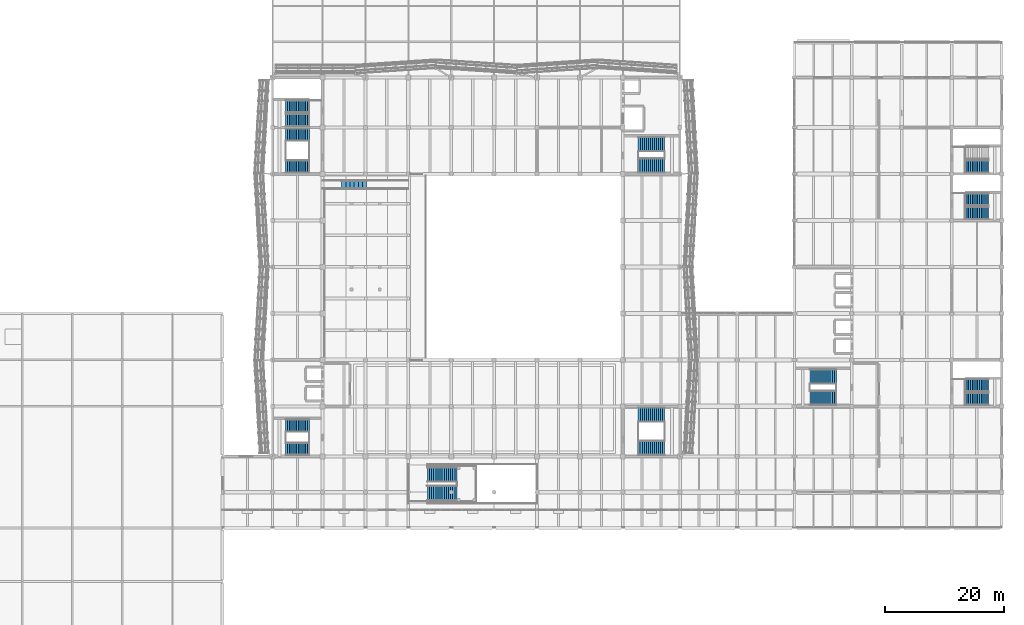
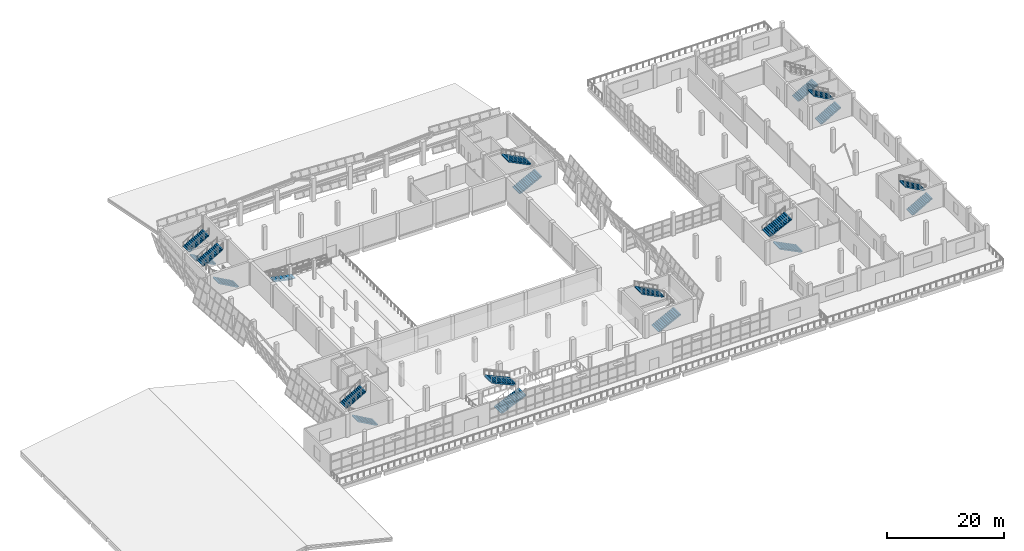
# One storey, part 70 of 79: 20 stair flights, 11 elements without a shape of their own.
"""IFC4 building model written with IfcOpenShell, lengths in metres."""

from ifc_helpers import new_model, si_unit, direction, frame, origin, place, context, subcontext, project, spatial, polyline, outline, extrude, material, type_object, element, aggregate, save


model = new_model("IFC4")

# Units and contexts
model_context = context("Model", 3, precision=1e-05, world=origin(), true_north=direction((0.0, 1.0)))
body_context = subcontext(model_context, "Body", "Model", "MODEL_VIEW")
ifc_project = project(units=[si_unit("LENGTHUNIT", "METRE"), si_unit("AREAUNIT", "SQUARE_METRE"), si_unit("VOLUMEUNIT", "CUBIC_METRE"), si_unit("PLANEANGLEUNIT", "RADIAN"), si_unit("MASSUNIT", "GRAM", prefix="KILO")], contexts=[model_context])

# Site, building, storey
site_placement = place(None, origin())
site = spatial("IfcSite", under=ifc_project, at=site_placement, CompositionType="ELEMENT")
building_placement = place(site_placement, origin())
building = spatial("IfcBuilding", under=site, at=building_placement, Name="Pellamere Symphony Hall", CompositionType="ELEMENT")
storey_placement = place(building_placement, frame((0.0, 0.0, 10.199951171875)))
storey = spatial("IfcBuildingStorey", under=building, at=storey_placement, Name="L02", CompositionType="ELEMENT", Elevation=10.199951171875)

# Stair, stair flights
ifc_material_1 = material(Name="Concrete 40 MPa", Category="concrete")
stair_type_1 = type_object("IfcStairType", Name="Stair ST-A W2400", PredefinedType="HALF_TURN_STAIR", material=ifc_material_1)
stair_1_placement = place(storey_placement, origin())
stair_1 = element("IfcStair", 1, at=stair_1_placement, inside=storey, type_object=stair_type_1, Name="Exit Stair ST02-L02 (L02 to L03)", PredefinedType="HALF_TURN_STAIR")
stair_flight_type_1 = type_object("IfcStairFlightType", Name="Stair Flight SF-A W2400", PredefinedType="STRAIGHT", material=ifc_material_1)
stair_flight_1_placement = place(storey_placement, frame((145.02490234375, 39.760009765625, 0.0), z_axis=(0.0, 0.0, 1.0), x_axis=(-1.0, 0.0, 0.0)))
stair_flight_1 = element("IfcStairFlight", 2, at=stair_flight_1_placement, type_object=stair_flight_type_1, Name="Stair ST02-L02 Lower Flight (L02)", NumberOfRisers=14, NumberOfTreads=13, PredefinedType="STRAIGHT", RiserHeight=0.17143, TreadLength=0.34231, context=body_context, shape_type="SweptSolid", body=[
    extrude(outline(polyline([(0.0, 0.0), (0.0, 0.17138671875), (0.34228515625, 0.17138671875), (0.34228515625, 0.3427734375), (0.6845703125, 0.3427734375), (0.6845703125, 0.514404296875), (1.02685546875, 0.514404296875), (1.02685546875, 0.685791015625), (1.369140625, 0.685791015625), (1.369140625, 0.857177734375), (1.711669921875, 0.857177734375), (1.711669921875, 1.028564453125), (2.053955078125, 1.028564453125), (2.053955078125, 1.199951171875), (2.396240234375, 1.199951171875), (2.396240234375, 1.371337890625), (2.738525390625, 1.371337890625), (2.738525390625, 1.54296875), (3.080810546875, 1.54296875), (3.080810546875, 1.71435546875), (3.423095703125, 1.71435546875), (3.423095703125, 1.8857421875), (3.765380859375, 1.8857421875), (3.765380859375, 2.05712890625), (4.107666015625, 2.05712890625), (4.107666015625, 2.228515625), (4.449951171875, 2.228515625), (4.449951171875, 2.39990234375), (4.449951171875, 2.0048828125), (0.446533203125, 0.0), (0.0, 0.0)])), frame((0.0, 1.199951171875, 0.0), z_axis=(0.0, -1.0, 0.0), x_axis=(1.0, 0.0, 0.0)), (0.0, 0.0, 1.0), 2.39990234375),
])
stair_flight_2_placement = place(storey_placement, frame((140.574951171875, 43.43994140625, 2.400146484375), z_axis=(0.0, 0.0, 1.0), x_axis=(1.0, 0.0, 0.0)))
stair_flight_2 = element("IfcStairFlight", 3, at=stair_flight_2_placement, type_object=stair_flight_type_1, Name="Stair ST02-L02 Upper Flight (L02)", NumberOfRisers=14, NumberOfTreads=13, PredefinedType="STRAIGHT", RiserHeight=0.17143, TreadLength=0.34231, context=body_context, shape_type="SweptSolid", body=[
    extrude(outline(polyline([(0.0, 0.0), (0.0, 0.17138671875), (0.34228515625, 0.17138671875), (0.34228515625, 0.3427734375), (0.6845703125, 0.3427734375), (0.6845703125, 0.514404296875), (1.02685546875, 0.514404296875), (1.02685546875, 0.685791015625), (1.369140625, 0.685791015625), (1.369140625, 0.857177734375), (1.711669921875, 0.857177734375), (1.711669921875, 1.028564453125), (2.053955078125, 1.028564453125), (2.053955078125, 1.199951171875), (2.396240234375, 1.199951171875), (2.396240234375, 1.371337890625), (2.738525390625, 1.371337890625), (2.738525390625, 1.54296875), (3.080810546875, 1.54296875), (3.080810546875, 1.71435546875), (3.423095703125, 1.71435546875), (3.423095703125, 1.8857421875), (3.765380859375, 1.8857421875), (3.765380859375, 2.05712890625), (4.107666015625, 2.05712890625), (4.107666015625, 2.228515625), (4.449951171875, 2.228515625), (4.449951171875, 2.39990234375), (4.449951171875, 2.0048828125), (0.446533203125, 0.0), (0.0, 0.0)])), frame((0.0, 1.199951171875, 0.0), z_axis=(0.0, -1.0, 0.0), x_axis=(1.0, 0.0, 0.0)), (0.0, 0.0, 1.0), 2.39990234375),
])
aggregate(stair_1, [stair_flight_1, stair_flight_2])

stair_2_placement = place(storey_placement, origin())
stair_2 = element("IfcStair", 4, at=stair_2_placement, inside=storey, type_object=stair_type_1, Name="Exit Stair ST04-L02 (L02 to L03)", PredefinedType="HALF_TURN_STAIR")
stair_flight_3_placement = place(storey_placement, frame((111.77490234375, 78.760009765625, 0.0), z_axis=(0.0, 0.0, 1.0), x_axis=(1.0, 0.0, 0.0)))
stair_flight_3 = element("IfcStairFlight", 5, at=stair_flight_3_placement, type_object=stair_flight_type_1, Name="Stair ST04-L02 Lower Flight (L02)", NumberOfRisers=14, NumberOfTreads=13, PredefinedType="STRAIGHT", RiserHeight=0.17143, TreadLength=0.34231, context=body_context, shape_type="SweptSolid", body=[
    extrude(outline(polyline([(0.0, 0.0), (0.0, 0.17138671875), (0.34228515625, 0.17138671875), (0.34228515625, 0.3427734375), (0.6845703125, 0.3427734375), (0.6845703125, 0.514404296875), (1.02685546875, 0.514404296875), (1.02685546875, 0.685791015625), (1.369140625, 0.685791015625), (1.369140625, 0.857177734375), (1.711669921875, 0.857177734375), (1.711669921875, 1.028564453125), (2.053955078125, 1.028564453125), (2.053955078125, 1.199951171875), (2.396240234375, 1.199951171875), (2.396240234375, 1.371337890625), (2.738525390625, 1.371337890625), (2.738525390625, 1.54296875), (3.080810546875, 1.54296875), (3.080810546875, 1.71435546875), (3.423095703125, 1.71435546875), (3.423095703125, 1.8857421875), (3.765380859375, 1.8857421875), (3.765380859375, 2.05712890625), (4.107666015625, 2.05712890625), (4.107666015625, 2.228515625), (4.449951171875, 2.228515625), (4.449951171875, 2.39990234375), (4.449951171875, 2.0048828125), (0.446533203125, 0.0), (0.0, 0.0)])), frame((0.0, 1.199951171875, 0.0), z_axis=(0.0, -1.0, 0.0), x_axis=(1.0, 0.0, 0.0)), (0.0, 0.0, 1.0), 2.39990234375),
])
stair_flight_4_placement = place(storey_placement, frame((116.22509765625, 82.43994140625, 2.400146484375), z_axis=(0.0, 0.0, 1.0), x_axis=(-1.0, 0.0, 0.0)))
stair_flight_4 = element("IfcStairFlight", 6, at=stair_flight_4_placement, type_object=stair_flight_type_1, Name="Stair ST04-L02 Upper Flight (L02)", NumberOfRisers=14, NumberOfTreads=13, PredefinedType="STRAIGHT", RiserHeight=0.17143, TreadLength=0.34231, context=body_context, shape_type="SweptSolid", body=[
    extrude(outline(polyline([(0.0, 0.0), (0.0, 0.17138671875), (0.34228515625, 0.17138671875), (0.34228515625, 0.3427734375), (0.6845703125, 0.3427734375), (0.6845703125, 0.514404296875), (1.02685546875, 0.514404296875), (1.02685546875, 0.685791015625), (1.369140625, 0.685791015625), (1.369140625, 0.857177734375), (1.711669921875, 0.857177734375), (1.711669921875, 1.028564453125), (2.053955078125, 1.028564453125), (2.053955078125, 1.199951171875), (2.396240234375, 1.199951171875), (2.396240234375, 1.371337890625), (2.738525390625, 1.371337890625), (2.738525390625, 1.54296875), (3.080810546875, 1.54296875), (3.080810546875, 1.71435546875), (3.423095703125, 1.71435546875), (3.423095703125, 1.8857421875), (3.765380859375, 1.8857421875), (3.765380859375, 2.05712890625), (4.107666015625, 2.05712890625), (4.107666015625, 2.228515625), (4.449951171875, 2.228515625), (4.449951171875, 2.39990234375), (4.449951171875, 2.0048828125), (0.446533203125, 0.0), (0.0, 0.0)])), frame((0.0, 1.199951171875, 0.0), z_axis=(0.0, -1.0, 0.0), x_axis=(1.0, 0.0, 0.0)), (0.0, 0.0, 1.0), 2.39990234375),
])
aggregate(stair_2, [stair_flight_3, stair_flight_4])

stair_3_placement = place(storey_placement, origin())
stair_3 = element("IfcStair", 7, at=stair_3_placement, inside=storey, type_object=stair_type_1, Name="Exit Stair ST08-L02 (L02 to L03)", PredefinedType="HALF_TURN_STAIR")
stair_flight_5_placement = place(storey_placement, frame((111.77490234375, 31.360107421875, 0.0), z_axis=(0.0, 0.0, 1.0), x_axis=(1.0, 0.0, 0.0)))
stair_flight_5 = element("IfcStairFlight", 8, at=stair_flight_5_placement, type_object=stair_flight_type_1, Name="Stair ST08-L02 Lower Flight (L02)", NumberOfRisers=14, NumberOfTreads=13, PredefinedType="STRAIGHT", RiserHeight=0.17143, TreadLength=0.34231, context=body_context, shape_type="SweptSolid", body=[
    extrude(outline(polyline([(0.0, 0.0), (0.0, 0.17138671875), (0.34228515625, 0.17138671875), (0.34228515625, 0.3427734375), (0.6845703125, 0.3427734375), (0.6845703125, 0.514404296875), (1.02685546875, 0.514404296875), (1.02685546875, 0.685791015625), (1.369140625, 0.685791015625), (1.369140625, 0.857177734375), (1.711669921875, 0.857177734375), (1.711669921875, 1.028564453125), (2.053955078125, 1.028564453125), (2.053955078125, 1.199951171875), (2.396240234375, 1.199951171875), (2.396240234375, 1.371337890625), (2.738525390625, 1.371337890625), (2.738525390625, 1.54296875), (3.080810546875, 1.54296875), (3.080810546875, 1.71435546875), (3.423095703125, 1.71435546875), (3.423095703125, 1.8857421875), (3.765380859375, 1.8857421875), (3.765380859375, 2.05712890625), (4.107666015625, 2.05712890625), (4.107666015625, 2.228515625), (4.449951171875, 2.228515625), (4.449951171875, 2.39990234375), (4.449951171875, 2.0048828125), (0.446533203125, 0.0), (0.0, 0.0)])), frame((0.0, 1.199951171875, 0.0), z_axis=(0.0, -1.0, 0.0), x_axis=(1.0, 0.0, 0.0)), (0.0, 0.0, 1.0), 2.39990234375),
])
stair_flight_6_placement = place(storey_placement, frame((116.22509765625, 37.0400390625, 2.400146484375), z_axis=(0.0, 0.0, 1.0), x_axis=(-1.0, 0.0, 0.0)))
stair_flight_6 = element("IfcStairFlight", 9, at=stair_flight_6_placement, type_object=stair_flight_type_1, Name="Stair ST08-L02 Upper Flight (L02)", NumberOfRisers=14, NumberOfTreads=13, PredefinedType="STRAIGHT", RiserHeight=0.17143, TreadLength=0.34231, context=body_context, shape_type="SweptSolid", body=[
    extrude(outline(polyline([(0.0, 0.0), (0.0, 0.17138671875), (0.34228515625, 0.17138671875), (0.34228515625, 0.3427734375), (0.6845703125, 0.3427734375), (0.6845703125, 0.514404296875), (1.02685546875, 0.514404296875), (1.02685546875, 0.685791015625), (1.369140625, 0.685791015625), (1.369140625, 0.857177734375), (1.711669921875, 0.857177734375), (1.711669921875, 1.028564453125), (2.053955078125, 1.028564453125), (2.053955078125, 1.199951171875), (2.396240234375, 1.199951171875), (2.396240234375, 1.371337890625), (2.738525390625, 1.371337890625), (2.738525390625, 1.54296875), (3.080810546875, 1.54296875), (3.080810546875, 1.71435546875), (3.423095703125, 1.71435546875), (3.423095703125, 1.8857421875), (3.765380859375, 1.8857421875), (3.765380859375, 2.05712890625), (4.107666015625, 2.05712890625), (4.107666015625, 2.228515625), (4.449951171875, 2.228515625), (4.449951171875, 2.39990234375), (4.449951171875, 2.0048828125), (0.446533203125, 0.0), (0.0, 0.0)])), frame((0.0, 1.199951171875, 0.0), z_axis=(0.0, -1.0, 0.0), x_axis=(1.0, 0.0, 0.0)), (0.0, 0.0, 1.0), 2.39990234375),
])
aggregate(stair_3, [stair_flight_5, stair_flight_6])

stair_type_2 = type_object("IfcStairType", Name="Stair ST-B W2050", PredefinedType="HALF_TURN_STAIR", material=ifc_material_1)
stair_4_placement = place(storey_placement, origin())
stair_4 = element("IfcStair", 10, at=stair_4_placement, inside=storey, type_object=stair_type_2, Name="Exit Stair ST01-L02 (L02 to L03)", PredefinedType="HALF_TURN_STAIR")
stair_flight_type_2 = type_object("IfcStairFlightType", Name="Stair Flight SF-B W2050", PredefinedType="STRAIGHT", material=ifc_material_1)
stair_flight_7_placement = place(storey_placement, frame((56.574951171875, 31.18505859375, 0.0), z_axis=(0.0, 0.0, 1.0), x_axis=(-1.0, 0.0, 0.0)))
stair_flight_7 = element("IfcStairFlight", 11, at=stair_flight_7_placement, type_object=stair_flight_type_2, Name="Stair ST01-L02 Lower Flight (L02)", NumberOfRisers=14, NumberOfTreads=13, PredefinedType="STRAIGHT", RiserHeight=0.17143, TreadLength=0.30385, context=body_context, shape_type="SweptSolid", body=[
    extrude(outline(polyline([(0.0, 0.0), (0.0, 0.17138671875), (0.303955078125, 0.17138671875), (0.303955078125, 0.3427734375), (0.607666015625, 0.3427734375), (0.607666015625, 0.514404296875), (0.91162109375, 0.514404296875), (0.91162109375, 0.685791015625), (1.21533203125, 0.685791015625), (1.21533203125, 0.857177734375), (1.519287109375, 0.857177734375), (1.519287109375, 1.028564453125), (1.822998046875, 1.028564453125), (1.822998046875, 1.199951171875), (2.126953125, 1.199951171875), (2.126953125, 1.371337890625), (2.430908203125, 1.371337890625), (2.430908203125, 1.54296875), (2.734619140625, 1.54296875), (2.734619140625, 1.71435546875), (3.03857421875, 1.71435546875), (3.03857421875, 1.8857421875), (3.34228515625, 1.8857421875), (3.34228515625, 2.05712890625), (3.646240234375, 2.05712890625), (3.646240234375, 2.228515625), (3.949951171875, 2.228515625), (3.949951171875, 2.39990234375), (3.949951171875, 1.9990234375), (0.406982421875, 0.0), (0.0, 0.0)])), frame((0.0, 1.02490234375, 0.0), z_axis=(0.0, -1.0, 0.0), x_axis=(1.0, 0.0, 0.0)), (0.0, 0.0, 1.0), 2.050048828125),
])
stair_flight_8_placement = place(storey_placement, frame((52.625, 35.215087890625, 2.400146484375), z_axis=(0.0, 0.0, 1.0), x_axis=(1.0, 0.0, 0.0)))
stair_flight_8 = element("IfcStairFlight", 12, at=stair_flight_8_placement, type_object=stair_flight_type_2, Name="Stair ST01-L02 Upper Flight (L02)", NumberOfRisers=14, NumberOfTreads=13, PredefinedType="STRAIGHT", RiserHeight=0.17143, TreadLength=0.30385, context=body_context, shape_type="SweptSolid", body=[
    extrude(outline(polyline([(0.0, 0.0), (0.0, 0.17138671875), (0.303955078125, 0.17138671875), (0.303955078125, 0.3427734375), (0.607666015625, 0.3427734375), (0.607666015625, 0.514404296875), (0.91162109375, 0.514404296875), (0.91162109375, 0.685791015625), (1.21533203125, 0.685791015625), (1.21533203125, 0.857177734375), (1.519287109375, 0.857177734375), (1.519287109375, 1.028564453125), (1.822998046875, 1.028564453125), (1.822998046875, 1.199951171875), (2.126953125, 1.199951171875), (2.126953125, 1.371337890625), (2.430908203125, 1.371337890625), (2.430908203125, 1.54296875), (2.734619140625, 1.54296875), (2.734619140625, 1.71435546875), (3.03857421875, 1.71435546875), (3.03857421875, 1.8857421875), (3.34228515625, 1.8857421875), (3.34228515625, 2.05712890625), (3.646240234375, 2.05712890625), (3.646240234375, 2.228515625), (3.949951171875, 2.228515625), (3.949951171875, 2.39990234375), (3.949951171875, 1.9990234375), (0.406982421875, 0.0), (0.0, 0.0)])), frame((0.0, 1.02490234375, 0.0), z_axis=(0.0, -1.0, 0.0), x_axis=(1.0, 0.0, 0.0)), (0.0, 0.0, 1.0), 2.050048828125),
])
aggregate(stair_4, [stair_flight_7, stair_flight_8])

stair_5_placement = place(storey_placement, origin())
stair_5 = element("IfcStair", 13, at=stair_5_placement, inside=storey, type_object=stair_type_2, Name="Exit Stair ST05-L02 (L02 to L03)", PredefinedType="HALF_TURN_STAIR")
stair_flight_9_placement = place(storey_placement, frame((166.625, 70.784912109375, 0.0), z_axis=(0.0, 0.0, 1.0), x_axis=(1.0, 0.0, 0.0)))
stair_flight_9 = element("IfcStairFlight", 14, at=stair_flight_9_placement, type_object=stair_flight_type_2, Name="Stair ST05-L02 Lower Flight (L02)", NumberOfRisers=14, NumberOfTreads=13, PredefinedType="STRAIGHT", RiserHeight=0.17143, TreadLength=0.30385, context=body_context, shape_type="SweptSolid", body=[
    extrude(outline(polyline([(0.0, 0.0), (0.0, 0.17138671875), (0.303955078125, 0.17138671875), (0.303955078125, 0.3427734375), (0.607666015625, 0.3427734375), (0.607666015625, 0.514404296875), (0.91162109375, 0.514404296875), (0.91162109375, 0.685791015625), (1.21533203125, 0.685791015625), (1.21533203125, 0.857177734375), (1.519287109375, 0.857177734375), (1.519287109375, 1.028564453125), (1.822998046875, 1.028564453125), (1.822998046875, 1.199951171875), (2.126953125, 1.199951171875), (2.126953125, 1.371337890625), (2.430908203125, 1.371337890625), (2.430908203125, 1.54296875), (2.734619140625, 1.54296875), (2.734619140625, 1.71435546875), (3.03857421875, 1.71435546875), (3.03857421875, 1.8857421875), (3.34228515625, 1.8857421875), (3.34228515625, 2.05712890625), (3.646240234375, 2.05712890625), (3.646240234375, 2.228515625), (3.949951171875, 2.228515625), (3.949951171875, 2.39990234375), (3.949951171875, 1.9990234375), (0.406982421875, 0.0), (0.0, 0.0)])), frame((0.0, 1.02490234375, 0.0), z_axis=(0.0, -1.0, 0.0), x_axis=(1.0, 0.0, 0.0)), (0.0, 0.0, 1.0), 2.050048828125),
])
stair_flight_10_placement = place(storey_placement, frame((170.574951171875, 73.175048828125, 2.400146484375), z_axis=(0.0, 0.0, 1.0), x_axis=(-1.0, 0.0, 0.0)))
stair_flight_10 = element("IfcStairFlight", 15, at=stair_flight_10_placement, type_object=stair_flight_type_2, Name="Stair ST05-L02 Upper Flight (L02)", NumberOfRisers=14, NumberOfTreads=13, PredefinedType="STRAIGHT", RiserHeight=0.17143, TreadLength=0.30385, context=body_context, shape_type="SweptSolid", body=[
    extrude(outline(polyline([(0.0, 0.0), (0.0, 0.17138671875), (0.303955078125, 0.17138671875), (0.303955078125, 0.3427734375), (0.607666015625, 0.3427734375), (0.607666015625, 0.514404296875), (0.91162109375, 0.514404296875), (0.91162109375, 0.685791015625), (1.21533203125, 0.685791015625), (1.21533203125, 0.857177734375), (1.519287109375, 0.857177734375), (1.519287109375, 1.028564453125), (1.822998046875, 1.028564453125), (1.822998046875, 1.199951171875), (2.126953125, 1.199951171875), (2.126953125, 1.371337890625), (2.430908203125, 1.371337890625), (2.430908203125, 1.54296875), (2.734619140625, 1.54296875), (2.734619140625, 1.71435546875), (3.03857421875, 1.71435546875), (3.03857421875, 1.8857421875), (3.34228515625, 1.8857421875), (3.34228515625, 2.05712890625), (3.646240234375, 2.05712890625), (3.646240234375, 2.228515625), (3.949951171875, 2.228515625), (3.949951171875, 2.39990234375), (3.949951171875, 1.9990234375), (0.406982421875, 0.0), (0.0, 0.0)])), frame((0.0, 1.02490234375, 0.0), z_axis=(0.0, -1.0, 0.0), x_axis=(1.0, 0.0, 0.0)), (0.0, 0.0, 1.0), 2.050048828125),
])
aggregate(stair_5, [stair_flight_9, stair_flight_10])

stair_6_placement = place(storey_placement, origin())
stair_6 = element("IfcStair", 16, at=stair_6_placement, inside=storey, type_object=stair_type_2, Name="Exit Stair ST06-L02 (L02 to L03)", PredefinedType="HALF_TURN_STAIR")
stair_flight_11_placement = place(storey_placement, frame((166.625, 39.5849609375, 0.0), z_axis=(0.0, 0.0, 1.0), x_axis=(1.0, 0.0, 0.0)))
stair_flight_11 = element("IfcStairFlight", 17, at=stair_flight_11_placement, type_object=stair_flight_type_2, Name="Stair ST06-L02 Lower Flight (L02)", NumberOfRisers=14, NumberOfTreads=13, PredefinedType="STRAIGHT", RiserHeight=0.17143, TreadLength=0.30385, context=body_context, shape_type="SweptSolid", body=[
    extrude(outline(polyline([(0.0, 0.0), (0.0, 0.17138671875), (0.303955078125, 0.17138671875), (0.303955078125, 0.3427734375), (0.607666015625, 0.3427734375), (0.607666015625, 0.514404296875), (0.91162109375, 0.514404296875), (0.91162109375, 0.685791015625), (1.21533203125, 0.685791015625), (1.21533203125, 0.857177734375), (1.519287109375, 0.857177734375), (1.519287109375, 1.028564453125), (1.822998046875, 1.028564453125), (1.822998046875, 1.199951171875), (2.126953125, 1.199951171875), (2.126953125, 1.371337890625), (2.430908203125, 1.371337890625), (2.430908203125, 1.54296875), (2.734619140625, 1.54296875), (2.734619140625, 1.71435546875), (3.03857421875, 1.71435546875), (3.03857421875, 1.8857421875), (3.34228515625, 1.8857421875), (3.34228515625, 2.05712890625), (3.646240234375, 2.05712890625), (3.646240234375, 2.228515625), (3.949951171875, 2.228515625), (3.949951171875, 2.39990234375), (3.949951171875, 1.9990234375), (0.406982421875, 0.0), (0.0, 0.0)])), frame((0.0, 1.02490234375, 0.0), z_axis=(0.0, -1.0, 0.0), x_axis=(1.0, 0.0, 0.0)), (0.0, 0.0, 1.0), 2.050048828125),
])
stair_flight_12_placement = place(storey_placement, frame((170.574951171875, 41.97509765625, 2.400146484375), z_axis=(0.0, 0.0, 1.0), x_axis=(-1.0, 0.0, 0.0)))
stair_flight_12 = element("IfcStairFlight", 18, at=stair_flight_12_placement, type_object=stair_flight_type_2, Name="Stair ST06-L02 Upper Flight (L02)", NumberOfRisers=14, NumberOfTreads=13, PredefinedType="STRAIGHT", RiserHeight=0.17143, TreadLength=0.30385, context=body_context, shape_type="SweptSolid", body=[
    extrude(outline(polyline([(0.0, 0.0), (0.0, 0.17138671875), (0.303955078125, 0.17138671875), (0.303955078125, 0.3427734375), (0.607666015625, 0.3427734375), (0.607666015625, 0.514404296875), (0.91162109375, 0.514404296875), (0.91162109375, 0.685791015625), (1.21533203125, 0.685791015625), (1.21533203125, 0.857177734375), (1.519287109375, 0.857177734375), (1.519287109375, 1.028564453125), (1.822998046875, 1.028564453125), (1.822998046875, 1.199951171875), (2.126953125, 1.199951171875), (2.126953125, 1.371337890625), (2.430908203125, 1.371337890625), (2.430908203125, 1.54296875), (2.734619140625, 1.54296875), (2.734619140625, 1.71435546875), (3.03857421875, 1.71435546875), (3.03857421875, 1.8857421875), (3.34228515625, 1.8857421875), (3.34228515625, 2.05712890625), (3.646240234375, 2.05712890625), (3.646240234375, 2.228515625), (3.949951171875, 2.228515625), (3.949951171875, 2.39990234375), (3.949951171875, 1.9990234375), (0.406982421875, 0.0), (0.0, 0.0)])), frame((0.0, 1.02490234375, 0.0), z_axis=(0.0, -1.0, 0.0), x_axis=(1.0, 0.0, 0.0)), (0.0, 0.0, 1.0), 2.050048828125),
])
aggregate(stair_6, [stair_flight_11, stair_flight_12])

stair_7_placement = place(storey_placement, origin())
stair_7 = element("IfcStair", 19, at=stair_7_placement, inside=storey, type_object=stair_type_2, Name="Exit Stair ST07-L02 (L02 to L03)", PredefinedType="HALF_TURN_STAIR")
stair_flight_13_placement = place(storey_placement, frame((56.574951171875, 78.5849609375, 0.0), z_axis=(0.0, 0.0, 1.0), x_axis=(-1.0, 0.0, 0.0)))
stair_flight_13 = element("IfcStairFlight", 20, at=stair_flight_13_placement, type_object=stair_flight_type_2, Name="Stair ST07-L02 Lower Flight (L02)", NumberOfRisers=14, NumberOfTreads=13, PredefinedType="STRAIGHT", RiserHeight=0.17143, TreadLength=0.30385, context=body_context, shape_type="SweptSolid", body=[
    extrude(outline(polyline([(0.0, 0.0), (0.0, 0.17138671875), (0.303955078125, 0.17138671875), (0.303955078125, 0.3427734375), (0.607666015625, 0.3427734375), (0.607666015625, 0.514404296875), (0.91162109375, 0.514404296875), (0.91162109375, 0.685791015625), (1.21533203125, 0.685791015625), (1.21533203125, 0.857177734375), (1.519287109375, 0.857177734375), (1.519287109375, 1.028564453125), (1.822998046875, 1.028564453125), (1.822998046875, 1.199951171875), (2.126953125, 1.199951171875), (2.126953125, 1.371337890625), (2.430908203125, 1.371337890625), (2.430908203125, 1.54296875), (2.734619140625, 1.54296875), (2.734619140625, 1.71435546875), (3.03857421875, 1.71435546875), (3.03857421875, 1.8857421875), (3.34228515625, 1.8857421875), (3.34228515625, 2.05712890625), (3.646240234375, 2.05712890625), (3.646240234375, 2.228515625), (3.949951171875, 2.228515625), (3.949951171875, 2.39990234375), (3.949951171875, 1.9990234375), (0.406982421875, 0.0), (0.0, 0.0)])), frame((0.0, 1.02490234375, 0.0), z_axis=(0.0, -1.0, 0.0), x_axis=(1.0, 0.0, 0.0)), (0.0, 0.0, 1.0), 2.050048828125),
])
stair_flight_14_placement = place(storey_placement, frame((52.625, 84.014892578125, 2.400146484375), z_axis=(0.0, 0.0, 1.0), x_axis=(1.0, 0.0, 0.0)))
stair_flight_14 = element("IfcStairFlight", 21, at=stair_flight_14_placement, type_object=stair_flight_type_2, Name="Stair ST07-L02 Upper Flight (L02)", NumberOfRisers=14, NumberOfTreads=13, PredefinedType="STRAIGHT", RiserHeight=0.17143, TreadLength=0.30385, context=body_context, shape_type="SweptSolid", body=[
    extrude(outline(polyline([(0.0, 0.0), (0.0, 0.17138671875), (0.303955078125, 0.17138671875), (0.303955078125, 0.3427734375), (0.607666015625, 0.3427734375), (0.607666015625, 0.514404296875), (0.91162109375, 0.514404296875), (0.91162109375, 0.685791015625), (1.21533203125, 0.685791015625), (1.21533203125, 0.857177734375), (1.519287109375, 0.857177734375), (1.519287109375, 1.028564453125), (1.822998046875, 1.028564453125), (1.822998046875, 1.199951171875), (2.126953125, 1.199951171875), (2.126953125, 1.371337890625), (2.430908203125, 1.371337890625), (2.430908203125, 1.54296875), (2.734619140625, 1.54296875), (2.734619140625, 1.71435546875), (3.03857421875, 1.71435546875), (3.03857421875, 1.8857421875), (3.34228515625, 1.8857421875), (3.34228515625, 2.05712890625), (3.646240234375, 2.05712890625), (3.646240234375, 2.228515625), (3.949951171875, 2.228515625), (3.949951171875, 2.39990234375), (3.949951171875, 1.9990234375), (0.406982421875, 0.0), (0.0, 0.0)])), frame((0.0, 1.02490234375, 0.0), z_axis=(0.0, -1.0, 0.0), x_axis=(1.0, 0.0, 0.0)), (0.0, 0.0, 1.0), 2.050048828125),
])
aggregate(stair_7, [stair_flight_13, stair_flight_14])

stair_8_placement = place(storey_placement, origin())
stair_8 = element("IfcStair", 22, at=stair_8_placement, inside=storey, type_object=stair_type_2, Name="Exit Stair ST13-L02 (L02 to L03)", PredefinedType="HALF_TURN_STAIR")
stair_flight_15_placement = place(storey_placement, frame((56.574951171875, 86.385009765625, 0.0), z_axis=(0.0, 0.0, 1.0), x_axis=(-1.0, 0.0, 0.0)))
stair_flight_15 = element("IfcStairFlight", 23, at=stair_flight_15_placement, type_object=stair_flight_type_2, Name="Stair ST13-L02 Lower Flight (L02)", NumberOfRisers=14, NumberOfTreads=13, PredefinedType="STRAIGHT", RiserHeight=0.17143, TreadLength=0.30385, context=body_context, shape_type="SweptSolid", body=[
    extrude(outline(polyline([(0.0, 0.0), (0.0, 0.17138671875), (0.303955078125, 0.17138671875), (0.303955078125, 0.3427734375), (0.607666015625, 0.3427734375), (0.607666015625, 0.514404296875), (0.91162109375, 0.514404296875), (0.91162109375, 0.685791015625), (1.21533203125, 0.685791015625), (1.21533203125, 0.857177734375), (1.519287109375, 0.857177734375), (1.519287109375, 1.028564453125), (1.822998046875, 1.028564453125), (1.822998046875, 1.199951171875), (2.126953125, 1.199951171875), (2.126953125, 1.371337890625), (2.430908203125, 1.371337890625), (2.430908203125, 1.54296875), (2.734619140625, 1.54296875), (2.734619140625, 1.71435546875), (3.03857421875, 1.71435546875), (3.03857421875, 1.8857421875), (3.34228515625, 1.8857421875), (3.34228515625, 2.05712890625), (3.646240234375, 2.05712890625), (3.646240234375, 2.228515625), (3.949951171875, 2.228515625), (3.949951171875, 2.39990234375), (3.949951171875, 1.9990234375), (0.406982421875, 0.0), (0.0, 0.0)])), frame((0.0, 1.02490234375, 0.0), z_axis=(0.0, -1.0, 0.0), x_axis=(1.0, 0.0, 0.0)), (0.0, 0.0, 1.0), 2.050048828125),
])
stair_flight_16_placement = place(storey_placement, frame((52.625, 88.77490234375, 2.400146484375), z_axis=(0.0, 0.0, 1.0), x_axis=(1.0, 0.0, 0.0)))
stair_flight_16 = element("IfcStairFlight", 24, at=stair_flight_16_placement, type_object=stair_flight_type_2, Name="Stair ST13-L02 Upper Flight (L02)", NumberOfRisers=14, NumberOfTreads=13, PredefinedType="STRAIGHT", RiserHeight=0.17143, TreadLength=0.30385, context=body_context, shape_type="SweptSolid", body=[
    extrude(outline(polyline([(0.0, 0.0), (0.0, 0.17138671875), (0.303955078125, 0.17138671875), (0.303955078125, 0.3427734375), (0.607666015625, 0.3427734375), (0.607666015625, 0.514404296875), (0.91162109375, 0.514404296875), (0.91162109375, 0.685791015625), (1.21533203125, 0.685791015625), (1.21533203125, 0.857177734375), (1.519287109375, 0.857177734375), (1.519287109375, 1.028564453125), (1.822998046875, 1.028564453125), (1.822998046875, 1.199951171875), (2.126953125, 1.199951171875), (2.126953125, 1.371337890625), (2.430908203125, 1.371337890625), (2.430908203125, 1.54296875), (2.734619140625, 1.54296875), (2.734619140625, 1.71435546875), (3.03857421875, 1.71435546875), (3.03857421875, 1.8857421875), (3.34228515625, 1.8857421875), (3.34228515625, 2.05712890625), (3.646240234375, 2.05712890625), (3.646240234375, 2.228515625), (3.949951171875, 2.228515625), (3.949951171875, 2.39990234375), (3.949951171875, 1.9990234375), (0.406982421875, 0.0), (0.0, 0.0)])), frame((0.0, 1.02490234375, 0.0), z_axis=(0.0, -1.0, 0.0), x_axis=(1.0, 0.0, 0.0)), (0.0, 0.0, 1.0), 2.050048828125),
])
aggregate(stair_8, [stair_flight_15, stair_flight_16])

# Stair, stair flight
stair_9_placement = place(storey_placement, origin())
stair_9 = element("IfcStair", 25, at=stair_9_placement, inside=storey, type_object=stair_type_2, Name="Exit Stair ST14-L02 (L02 to L03)", PredefinedType="HALF_TURN_STAIR")
stair_flight_17_placement = place(storey_placement, frame((166.625, 78.5849609375, 0.0), z_axis=(0.0, 0.0, 1.0), x_axis=(1.0, 0.0, 0.0)))
stair_flight_17 = element("IfcStairFlight", 26, at=stair_flight_17_placement, type_object=stair_flight_type_2, Name="Stair ST14-L02 Lower Flight (L02)", NumberOfRisers=14, NumberOfTreads=13, PredefinedType="STRAIGHT", RiserHeight=0.17143, TreadLength=0.30385, context=body_context, shape_type="SweptSolid", body=[
    extrude(outline(polyline([(0.0, 0.0), (0.0, 0.17138671875), (0.303955078125, 0.17138671875), (0.303955078125, 0.3427734375), (0.607666015625, 0.3427734375), (0.607666015625, 0.514404296875), (0.91162109375, 0.514404296875), (0.91162109375, 0.685791015625), (1.21533203125, 0.685791015625), (1.21533203125, 0.857177734375), (1.519287109375, 0.857177734375), (1.519287109375, 1.028564453125), (1.822998046875, 1.028564453125), (1.822998046875, 1.199951171875), (2.126953125, 1.199951171875), (2.126953125, 1.371337890625), (2.430908203125, 1.371337890625), (2.430908203125, 1.54296875), (2.734619140625, 1.54296875), (2.734619140625, 1.71435546875), (3.03857421875, 1.71435546875), (3.03857421875, 1.8857421875), (3.34228515625, 1.8857421875), (3.34228515625, 2.05712890625), (3.646240234375, 2.05712890625), (3.646240234375, 2.228515625), (3.949951171875, 2.228515625), (3.949951171875, 2.39990234375), (3.949951171875, 1.9990234375), (0.406982421875, 0.0), (0.0, 0.0)])), frame((0.0, 1.02490234375, 0.0), z_axis=(0.0, -1.0, 0.0), x_axis=(1.0, 0.0, 0.0)), (0.0, 0.0, 1.0), 2.050048828125),
])
aggregate(stair_9, [stair_flight_17])

# Stair, stair flights
ifc_material_2 = material(Name="Architectural warm-pigmented concrete 40 MPa", Category="concrete")
stair_type_3 = type_object("IfcStairType", Name="Stair ST-F W2400", PredefinedType="HALF_TURN_STAIR", material=ifc_material_2)
stair_10_placement = place(storey_placement, origin())
stair_10 = element("IfcStair", 27, at=stair_10_placement, inside=storey, type_object=stair_type_3, Name="Winter-Garden Feature Stair L02 to L03", PredefinedType="HALF_TURN_STAIR")
stair_flight_type_3 = type_object("IfcStairFlightType", Name="Stair Flight SF-F W2400", PredefinedType="STRAIGHT", material=ifc_material_2)
stair_flight_18_placement = place(storey_placement, frame((76.39990234375, 23.800048828125, 0.0), z_axis=(0.0, 0.0, 1.0), x_axis=(1.0, 0.0, 0.0)))
stair_flight_18 = element("IfcStairFlight", 28, at=stair_flight_18_placement, type_object=stair_flight_type_3, Name="Feature Stair Lower Flight (L02)", NumberOfRisers=15, NumberOfTreads=14, PredefinedType="STRAIGHT", RiserHeight=0.16, TreadLength=0.35429, context=body_context, shape_type="SweptSolid", body=[
    extrude(outline(polyline([(0.0, 0.0), (0.0, 0.159912109375), (0.354248046875, 0.159912109375), (0.354248046875, 0.320068359375), (0.70849609375, 0.320068359375), (0.70849609375, 0.47998046875), (1.06298828125, 0.47998046875), (1.06298828125, 0.639892578125), (1.417236328125, 0.639892578125), (1.417236328125, 0.800048828125), (1.771484375, 0.800048828125), (1.771484375, 0.9599609375), (2.125732421875, 0.9599609375), (2.125732421875, 1.1201171875), (2.47998046875, 1.1201171875), (2.47998046875, 1.280029296875), (2.834228515625, 1.280029296875), (2.834228515625, 1.43994140625), (3.188720703125, 1.43994140625), (3.188720703125, 1.60009765625), (3.54296875, 1.60009765625), (3.54296875, 1.760009765625), (3.897216796875, 1.760009765625), (3.897216796875, 1.919921875), (4.25146484375, 1.919921875), (4.25146484375, 2.080078125), (4.605712890625, 2.080078125), (4.605712890625, 2.239990234375), (4.9599609375, 2.239990234375), (4.9599609375, 2.39990234375), (4.9599609375, 1.9765625), (0.5830078125, 0.0), (0.0, 0.0)])), frame((0.0, 1.199951171875, 0.0), z_axis=(0.0, -1.0, 0.0), x_axis=(1.0, 0.0, 0.0)), (0.0, 0.0, 1.0), 2.39990234375),
])
stair_flight_19_placement = place(storey_placement, frame((81.360107421875, 27.0, 2.400146484375), z_axis=(0.0, 0.0, 1.0), x_axis=(-1.0, 0.0, 0.0)))
stair_flight_19 = element("IfcStairFlight", 29, at=stair_flight_19_placement, type_object=stair_flight_type_3, Name="Feature Stair Upper Flight (L02)", NumberOfRisers=15, NumberOfTreads=14, PredefinedType="STRAIGHT", RiserHeight=0.16, TreadLength=0.35429, context=body_context, shape_type="SweptSolid", body=[
    extrude(outline(polyline([(0.0, 0.0), (0.0, 0.159912109375), (0.354248046875, 0.159912109375), (0.354248046875, 0.320068359375), (0.70849609375, 0.320068359375), (0.70849609375, 0.47998046875), (1.06298828125, 0.47998046875), (1.06298828125, 0.639892578125), (1.417236328125, 0.639892578125), (1.417236328125, 0.800048828125), (1.771484375, 0.800048828125), (1.771484375, 0.9599609375), (2.125732421875, 0.9599609375), (2.125732421875, 1.1201171875), (2.47998046875, 1.1201171875), (2.47998046875, 1.280029296875), (2.834228515625, 1.280029296875), (2.834228515625, 1.43994140625), (3.188720703125, 1.43994140625), (3.188720703125, 1.60009765625), (3.54296875, 1.60009765625), (3.54296875, 1.760009765625), (3.897216796875, 1.760009765625), (3.897216796875, 1.919921875), (4.25146484375, 1.919921875), (4.25146484375, 2.080078125), (4.605712890625, 2.080078125), (4.605712890625, 2.239990234375), (4.9599609375, 2.239990234375), (4.9599609375, 2.39990234375), (4.9599609375, 1.9765625), (0.5830078125, 0.0), (0.0, 0.0)])), frame((0.0, 1.199951171875, 0.0), z_axis=(0.0, -1.0, 0.0), x_axis=(1.0, 0.0, 0.0)), (0.0, 0.0, 1.0), 2.39990234375),
])
aggregate(stair_10, [stair_flight_18, stair_flight_19])

# Stair, stair flight
ifc_material_3 = material(Name="Precast concrete 40 MPa", Category="concrete")
stair_type_4 = type_object("IfcStairType", Name="Stair ST-V W1400", PredefinedType="STRAIGHT_RUN_STAIR", material=ifc_material_3)
stair_11_placement = place(storey_placement, origin())
stair_11 = element("IfcStair", 30, at=stair_11_placement, inside=storey, type_object=stair_type_4, Name="Hall Acoustic Vomitory Stair VOM-04 (L02)", PredefinedType="STRAIGHT_RUN_STAIR")
stair_flight_type_4 = type_object("IfcStairFlightType", Name="Stair Flight SF-V2 W1350", PredefinedType="STRAIGHT", material=ifc_material_3)
stair_flight_20_placement = place(storey_placement, frame((66.199951171875, 75.60009765625, 0.0), z_axis=(0.0, 0.0, 1.0), x_axis=(-1.0, 0.0, 0.0)))
stair_flight_20 = element("IfcStairFlight", 31, at=stair_flight_20_placement, type_object=stair_flight_type_4, Name="Vomitory Stair Flight VOM-04 (L02)", NumberOfRisers=7, NumberOfTreads=6, PredefinedType="STRAIGHT", RiserHeight=0.15, TreadLength=0.7, context=body_context, shape_type="SweptSolid", body=[
    extrude(outline(polyline([(0.0, 0.0), (0.0, 0.14990234375), (0.699951171875, 0.14990234375), (0.699951171875, 0.300048828125), (1.39990234375, 0.300048828125), (1.39990234375, 0.449951171875), (2.10009765625, 0.449951171875), (2.10009765625, 0.60009765625), (2.800048828125, 0.60009765625), (2.800048828125, 0.75), (3.5, 0.75), (3.5, 0.89990234375), (4.199951171875, 0.89990234375), (4.199951171875, 1.050048828125), (4.199951171875, 0.695556640625), (0.954345703125, 0.0), (0.0, 0.0)])), frame((0.0, 0.675048828125, 0.0), z_axis=(0.0, -1.0, 0.0), x_axis=(1.0, 0.0, 0.0)), (0.0, 0.0, 1.0), 1.35009765625),
])
aggregate(stair_11, [stair_flight_20])

save(model, "model.ifc")
